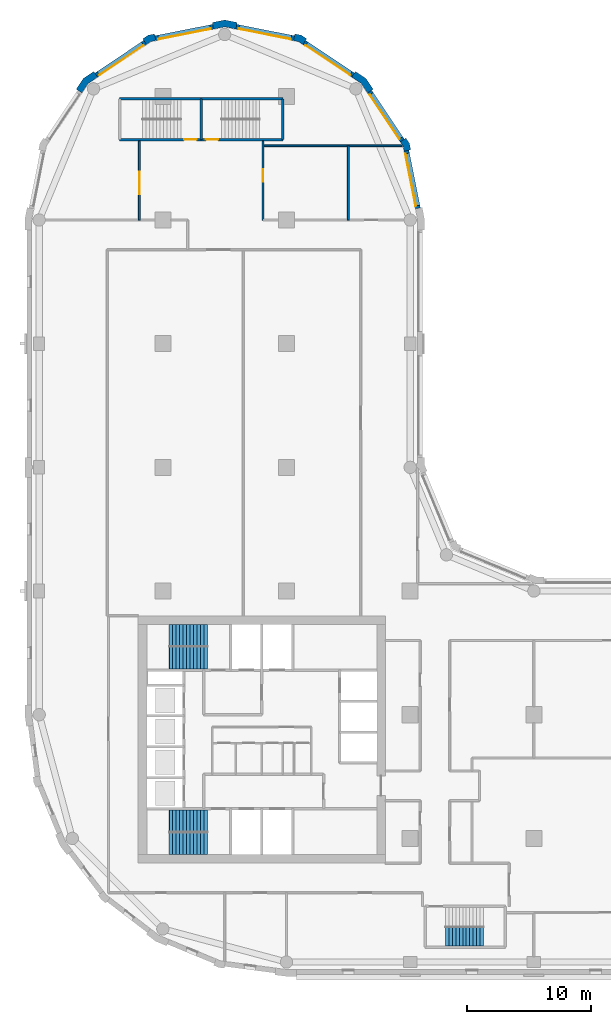
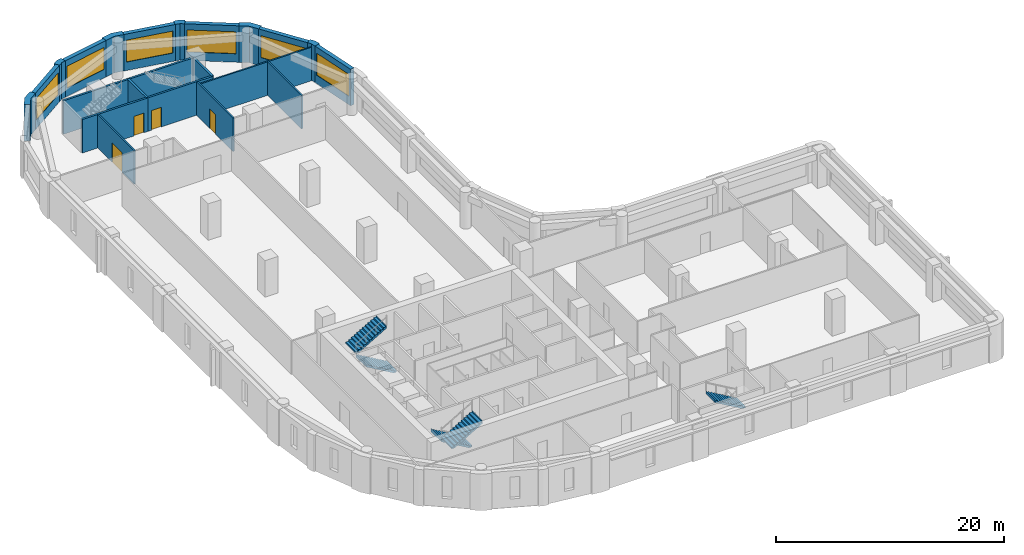
# One storey, part 6 of 9: 22 walls, 6 windows, 5 stair flights, 4 doors, 10 openings, 3 elements without a shape of their own.
"""IFC4 building model written with IfcOpenShell, lengths in metres."""

import ifcopenshell
import ifcopenshell.guid

model = None  # the IFC model being written
_history = None  # IfcOwnerHistory: only IFC2X3 demands one
_inside = {}  # id of a spatial element -> (the spatial element, [elements in it])
_under = {}  # id of a project, library or spatial element -> (it, [spatial elements below it])
_declared = {}  # id of a project -> (the project, [libraries it declares])
_typed = {}  # id of a type object -> (the type object, [elements of that type])
_made_of = {}  # id of a material, layer set ... -> (it, [elements and type objects made of it])


def new_model(schema):
    """Start an empty IFC model of exactly this schema.

    Asked for "IFC4X3", IfcOpenShell would pick the latest addendum, in which some entities
    have other attributes; the version numbers below select the first issue.
    IFC2X3 requires an IfcOwnerHistory on every rooted entity: one is made here for all.
    """
    global model, _history
    if schema == "IFC4X3":
        model = ifcopenshell.file(schema_version=(4, 3, 0, 0))
    else:
        model = ifcopenshell.file(schema=schema)
    _inside.clear()
    _under.clear()
    _declared.clear()
    _typed.clear()
    _made_of.clear()
    _history = None
    if model.schema == "IFC2X3":
        org = make("IfcOrganization", Name="unknown")
        user = make(
            "IfcPersonAndOrganization",
            ThePerson=make("IfcPerson", FamilyName="unknown"),
            TheOrganization=org,
        )
        app = make(
            "IfcApplication",
            ApplicationDeveloper=org,
            Version="unknown",
            ApplicationFullName="unknown",
            ApplicationIdentifier="unknown",
        )
        _history = make(
            "IfcOwnerHistory",
            OwningUser=user,
            OwningApplication=app,
            ChangeAction="ADDED",
            CreationDate=0,
        )
    return model


def make(cls, **values):
    """One entity of the class cls with the attributes given. An attribute that is None is left unset."""
    return model.create_entity(
        cls, **{name: value for name, value in values.items() if value is not None}
    )


def rooted(cls, **values):
    """An entity with a GlobalId (a new one), such as an element, a storey or a relation."""
    return make(cls, GlobalId=ifcopenshell.guid.new(), OwnerHistory=_history, **values)


def si_unit(unit_type, name, prefix=None):
    """IfcSIUnit, for example si_unit("LENGTHUNIT", "METRE", prefix="MILLI")."""
    return make("IfcSIUnit", UnitType=unit_type, Prefix=prefix, Name=name)


def assignment(units):
    """IfcUnitAssignment: the units of a project."""
    return None if units is None else make("IfcUnitAssignment", Units=units)


def point(xyz):
    """IfcCartesianPoint."""
    return None if xyz is None else make("IfcCartesianPoint", Coordinates=xyz)


def direction(xyz):
    """IfcDirection."""
    return None if xyz is None else make("IfcDirection", DirectionRatios=xyz)


def frame(location, z_axis=None, x_axis=None):
    """IfcAxis2Placement3D, a coordinate frame: its origin and axes. An axis left out is left unset."""
    return make(
        "IfcAxis2Placement3D",
        Location=point(location),
        Axis=direction(z_axis),
        RefDirection=direction(x_axis),
    )


def frame_2d(location, x_axis=None):
    """IfcAxis2Placement2D, a coordinate frame in the plane: its origin and x axis."""
    return make(
        "IfcAxis2Placement2D", Location=point(location), RefDirection=direction(x_axis)
    )


def origin():
    """The frame at (0, 0, 0) with its axes left unset."""
    return frame((0.0, 0.0, 0.0))


def place(relative_to, where):
    """IfcLocalPlacement: puts the frame where relative to a parent placement (None: the world)."""
    return make(
        "IfcLocalPlacement", PlacementRelTo=relative_to, RelativePlacement=where
    )


def context(
    kind, dimensions, precision=None, world=None, true_north=None, identifier=None
):
    """IfcGeometricRepresentationContext, for example the 3D "Model" context."""
    return make(
        "IfcGeometricRepresentationContext",
        ContextIdentifier=identifier,
        ContextType=kind,
        CoordinateSpaceDimension=dimensions,
        Precision=precision,
        WorldCoordinateSystem=world,
        TrueNorth=true_north,
    )


def subcontext(parent, identifier, kind, view, scale=None):
    """IfcGeometricRepresentationSubContext, for example "Body" below "Model"."""
    return make(
        "IfcGeometricRepresentationSubContext",
        ContextIdentifier=identifier,
        ContextType=kind,
        ParentContext=parent,
        TargetScale=scale,
        TargetView=view,
    )


def project(units=None, contexts=None):
    """IfcProject with its units and contexts."""
    return rooted(
        "IfcProject",
        Name="project",
        RepresentationContexts=contexts,
        UnitsInContext=assignment(units),
    )


def spatial(cls, under=None, at=None, **own):
    """A site, building, storey or space (cls), placed at a placement, below another one or the project."""
    s = rooted(cls, ObjectPlacement=at, **own)
    if under is not None:
        _under.setdefault(under.id(), (under, []))[1].append(s)
    return s


def polyline(points):
    """IfcPolyline through the points."""
    return make("IfcPolyline", Points=[point(p) for p in points])


def profile(cls, at=None, kind="AREA", **sizes):
    """A parametric profile (cls). Its sizes go by their IFC names, for example OverallWidth=200.0."""
    return make(cls, ProfileType=kind, Position=at, **sizes)


def rectangle(**sizes):
    """IfcRectangleProfileDef."""
    return profile("IfcRectangleProfileDef", **sizes)


def outline(outer, holes=None, kind="AREA"):
    """IfcArbitraryClosedProfileDef: a profile drawn as a closed curve; with holes, ...WithVoids."""
    if holes is None:
        return make("IfcArbitraryClosedProfileDef", ProfileType=kind, OuterCurve=outer)
    return make(
        "IfcArbitraryProfileDefWithVoids",
        ProfileType=kind,
        OuterCurve=outer,
        InnerCurves=holes,
    )


def extrude(swept, where, along, depth):
    """IfcExtrudedAreaSolid: the profile swept, set in the frame where, extruded along a direction by depth."""
    return make(
        "IfcExtrudedAreaSolid",
        SweptArea=swept,
        Position=where,
        ExtrudedDirection=direction(along),
        Depth=depth,
    )


def shape(context_of_items, identifier, shape_type, items):
    """IfcShapeRepresentation: the items that make up one representation, for example the "Body"."""
    return make(
        "IfcShapeRepresentation",
        ContextOfItems=context_of_items,
        RepresentationIdentifier=identifier,
        RepresentationType=shape_type,
        Items=items,
    )


def material(Name=None, Category=None):
    """IfcMaterial."""
    return make("IfcMaterial", Name=Name, Category=Category)


def layer(
    of_material, thickness, ventilated=None, Name=None, Category=None, Priority=None
):
    """IfcMaterialLayer: one layer of a wall or slab, of a material (None: an air gap)."""
    return make(
        "IfcMaterialLayer",
        Material=of_material,
        LayerThickness=thickness,
        IsVentilated=ventilated,
        Name=Name,
        Category=Category,
        Priority=Priority,
    )


def layer_set(layers, Name=None):
    """IfcMaterialLayerSet."""
    return make("IfcMaterialLayerSet", MaterialLayers=layers, LayerSetName=Name)


def made_of(thing, what):
    """Note that an element or type object is made of a material, layer set ...; save() writes the relation."""
    if what is not None:
        _made_of.setdefault(what.id(), (what, []))[1].append(thing)
    return thing


def type_object(cls, material=None, **own):
    """A type object (cls), such as IfcWallType, which elements share."""
    return made_of(rooted(cls, **own), material)


def element(
    cls,
    number,
    at=None,
    inside=None,
    cuts=None,
    type_object=None,
    material=None,
    context=None,
    identifier="Body",
    shape_type=None,
    held_by="IfcProductDefinitionShape",
    body=None,
    shapes=None,
    **own,
):
    """One element of the class cls, such as IfcWall. Its Tag is "e" and its number.

    at: its placement. inside: the storey or other place that contains it. cuts: it is an
    opening in that element (IfcRelVoidsElement). A single representation is given by context,
    identifier, shape_type and body (its items); several are given by shapes. held_by: the class
    of the entity that holds the representations. save() writes the other relations.
    """
    e = rooted(cls, Tag="e%d" % number, ObjectPlacement=at, **own)
    if body is not None:
        shapes = [shape(context, identifier, shape_type, body)]
    if shapes is not None:
        e.Representation = make(held_by, Representations=shapes)
    if inside is not None:
        _inside.setdefault(inside.id(), (inside, []))[1].append(e)
    if cuts is not None:
        rooted(
            "IfcRelVoidsElement", RelatingBuildingElement=cuts, RelatedOpeningElement=e
        )
    if type_object is not None:
        _typed.setdefault(type_object.id(), (type_object, []))[1].append(e)
    return made_of(e, material)


def fill(opening, filler):
    """IfcRelFillsElement: the door or window that sits in an opening."""
    return rooted(
        "IfcRelFillsElement",
        RelatingOpeningElement=opening,
        RelatedBuildingElement=filler,
    )


def aggregate(whole, parts):
    """IfcRelAggregates: a whole, such as a stair, and the parts it consists of."""
    return rooted("IfcRelAggregates", RelatingObject=whole, RelatedObjects=parts)


def save(model, path):
    """Write the relations noted so far, then the file.

    IfcRelAggregates (storeys below a building ...), IfcRelContainedInSpatialStructure (elements
    in a storey), IfcRelDefinesByType, IfcRelAssociatesMaterial and IfcRelDeclares: one each for
    every whole, place, type object, material and project.
    """
    for whole, parts in _under.values():
        aggregate(whole, parts)
    for where, things in _inside.values():
        rooted(
            "IfcRelContainedInSpatialStructure",
            RelatedElements=things,
            RelatingStructure=where,
        )
    for kind, things in _typed.values():
        rooted("IfcRelDefinesByType", RelatedObjects=things, RelatingType=kind)
    for what, things in _made_of.values():
        rooted("IfcRelAssociatesMaterial", RelatedObjects=things, RelatingMaterial=what)
    for by, libraries in _declared.values():
        rooted("IfcRelDeclares", RelatingContext=by, RelatedDefinitions=libraries)
    model.write(path)


model = new_model("IFC4")

# Units and contexts
model_context = context("Model", 3, precision=1e-05, world=origin(), true_north=direction((0.0, 1.0)))
body_context = subcontext(model_context, "Body", "Model", "MODEL_VIEW")
ifc_project = project(units=[si_unit("LENGTHUNIT", "METRE"), si_unit("AREAUNIT", "SQUARE_METRE"), si_unit("VOLUMEUNIT", "CUBIC_METRE"), si_unit("PLANEANGLEUNIT", "RADIAN"), si_unit("MASSUNIT", "GRAM", prefix="KILO")], contexts=[model_context])

# Site, building, storey
site_placement = place(None, origin())
site = spatial("IfcSite", under=ifc_project, at=site_placement, CompositionType="ELEMENT")
building_placement = place(site_placement, origin())
building = spatial("IfcBuilding", under=site, at=building_placement, Name="Qaws Garden Tower", CompositionType="ELEMENT")
storey_placement = place(building_placement, frame((0.0, 0.0, 151.199951171875)))
storey = spatial("IfcBuildingStorey", under=building, at=storey_placement, Name="L36", CompositionType="ELEMENT", Elevation=151.199951171875)

# Wall, opening, window
ifc_material_1 = material(Name="Clay facing brick masonry", Category="masonry")
ifc_layer_1 = layer(ifc_material_1, 0.39990234375)
ifc_layer_set_1 = layer_set([ifc_layer_1], Name="Clay facing brick masonry")
wall_type_1 = type_object("IfcWallType", Name="Brick infill wall 400", PredefinedType="SOLIDWALL", material=ifc_layer_set_1)
wall_1_placement = place(storey_placement, frame((30.628662109375, 60.940673828125, 0.0), z_axis=(0.0, 0.0, 1.0), x_axis=(-0.195098533057, 0.98078364709, 0.0)))
wall_1 = element("IfcWall", 1, at=wall_1_placement, inside=storey, type_object=wall_type_1, Name="E-L36-infill-13", PredefinedType="SOLIDWALL", context=body_context, shape_type="SweptSolid", body=[
    extrude(rectangle(XDim=4.752685546875, YDim=0.39990234375, at=frame_2d((2.37646484375, 0.0))), origin(), (0.0, 0.0, 1.0), 3.900146484375),
])
opening_1_placement = place(wall_1_placement, frame((0.226318359375, 0.0, 0.89990234375)))
opening_1 = element("IfcOpeningElement", 2, at=opening_1_placement, cuts=wall_1, Name="Opening W06", PredefinedType="OPENING", context=body_context, shape_type="SweptSolid", body=[
    extrude(rectangle(XDim=4.300048828125, YDim=2.35009765625, at=frame_2d((2.14990234375, 1.175048828125))), frame((0.0, 0.2099609375, 0.0), z_axis=(0.0, -1.0, 0.0), x_axis=(1.0, 0.0, 0.0)), (0.0, 0.0, 1.0), 0.419921875),
])
ifc_material_2 = material(Name="Aluminium framed window, clear glazing", Category="aluminium")
window_type = type_object("IfcWindowType", Name="Ribbon window 4300 x 2350", PartitioningType="DOUBLE_PANEL_VERTICAL", PredefinedType="WINDOW", material=ifc_material_2)
window_1_placement = place(opening_1_placement, origin())
window_1 = element("IfcWindow", 3, at=window_1_placement, inside=storey, type_object=window_type, Name="E-L36-window-13-0", OverallHeight=2.35009765625, OverallWidth=4.300048828125, PartitioningType="SINGLE_PANEL", PredefinedType="WINDOW", context=body_context, shape_type="SweptSolid", body=[
    extrude(rectangle(XDim=4.300048828125, YDim=2.35009765625, at=frame_2d((2.14990234375, 1.175048828125))), frame((0.0, 0.159912109375, 0.0), z_axis=(0.0, -1.0, 0.0), x_axis=(1.0, 0.0, 0.0)), (0.0, 0.0, 1.0), 0.06005859375),
])
fill(opening_1, window_1)

wall_2_placement = place(storey_placement, frame((29.356689453125, 66.43408203125, 0.0), z_axis=(0.0, 0.0, 1.0), x_axis=(-0.555541552266, 0.831488775454, 0.0)))
wall_2 = element("IfcWall", 4, at=wall_2_placement, inside=storey, type_object=wall_type_1, Name="E-L36-infill-14", PredefinedType="SOLIDWALL", context=body_context, shape_type="SweptSolid", body=[
    extrude(rectangle(XDim=4.752685546875, YDim=0.39990234375, at=frame_2d((2.37646484375, 0.0))), origin(), (0.0, 0.0, 1.0), 3.900146484375),
])
opening_2_placement = place(wall_2_placement, frame((0.226318359375, 0.0, 0.89990234375)))
opening_2 = element("IfcOpeningElement", 5, at=opening_2_placement, cuts=wall_2, Name="Opening W06", PredefinedType="OPENING", context=body_context, shape_type="SweptSolid", body=[
    extrude(rectangle(XDim=4.300048828125, YDim=2.35009765625, at=frame_2d((2.14990234375, 1.175048828125))), frame((0.0, 0.2099609375, 0.0), z_axis=(0.0, -1.0, 0.0), x_axis=(1.0, 0.0, 0.0)), (0.0, 0.0, 1.0), 0.419921875),
])
window_2_placement = place(opening_2_placement, origin())
window_2 = element("IfcWindow", 6, at=window_2_placement, inside=storey, type_object=window_type, Name="E-L36-window-14-0", OverallHeight=2.35009765625, OverallWidth=4.300048828125, PartitioningType="SINGLE_PANEL", PredefinedType="WINDOW", context=body_context, shape_type="SweptSolid", body=[
    extrude(rectangle(XDim=4.300048828125, YDim=2.35009765625, at=frame_2d((2.14990234375, 1.175048828125))), frame((0.0, 0.159912109375, 0.0), z_axis=(0.0, -1.0, 0.0), x_axis=(1.0, 0.0, 0.0)), (0.0, 0.0, 1.0), 0.06005859375),
])
fill(opening_2, window_2)

wall_3_placement = place(storey_placement, frame((25.385986328125, 71.71630859375, 0.0), z_axis=(0.0, 0.0, 1.0), x_axis=(-0.831488775454, 0.555541552266, 0.0)))
wall_3 = element("IfcWall", 7, at=wall_3_placement, inside=storey, type_object=wall_type_1, Name="E-L36-infill-15", PredefinedType="SOLIDWALL", context=body_context, shape_type="SweptSolid", body=[
    extrude(rectangle(XDim=4.752685546875, YDim=0.39990234375, at=frame_2d((2.37646484375, 0.0))), origin(), (0.0, 0.0, 1.0), 3.900146484375),
])
opening_3_placement = place(wall_3_placement, frame((0.226318359375, 0.0, 0.89990234375)))
opening_3 = element("IfcOpeningElement", 8, at=opening_3_placement, cuts=wall_3, Name="Opening W06", PredefinedType="OPENING", context=body_context, shape_type="SweptSolid", body=[
    extrude(rectangle(XDim=4.300048828125, YDim=2.35009765625, at=frame_2d((2.14990234375, 1.175048828125))), frame((0.0, 0.2099609375, 0.0), z_axis=(0.0, -1.0, 0.0), x_axis=(1.0, 0.0, 0.0)), (0.0, 0.0, 1.0), 0.419921875),
])
window_3_placement = place(opening_3_placement, origin())
window_3 = element("IfcWindow", 9, at=window_3_placement, inside=storey, type_object=window_type, Name="E-L36-window-15-0", OverallHeight=2.35009765625, OverallWidth=4.300048828125, PartitioningType="SINGLE_PANEL", PredefinedType="WINDOW", context=body_context, shape_type="SweptSolid", body=[
    extrude(rectangle(XDim=4.300048828125, YDim=2.35009765625, at=frame_2d((2.14990234375, 1.175048828125))), frame((0.0, 0.159912109375, 0.0), z_axis=(0.0, -1.0, 0.0), x_axis=(1.0, 0.0, 0.0)), (0.0, 0.0, 1.0), 0.06005859375),
])
fill(opening_3, window_3)

wall_4_placement = place(storey_placement, frame((20.60205078125, 74.701416015625, 0.0), z_axis=(0.0, 0.0, 1.0), x_axis=(-0.98078364709, 0.195098533057, 0.0)))
wall_4 = element("IfcWall", 10, at=wall_4_placement, inside=storey, type_object=wall_type_1, Name="E-L36-infill-16", PredefinedType="SOLIDWALL", context=body_context, shape_type="SweptSolid", body=[
    extrude(rectangle(XDim=4.752685546875, YDim=0.39990234375, at=frame_2d((2.37646484375, 0.0))), origin(), (0.0, 0.0, 1.0), 3.900146484375),
])
opening_4_placement = place(wall_4_placement, frame((0.226318359375, 0.0, 0.89990234375)))
opening_4 = element("IfcOpeningElement", 11, at=opening_4_placement, cuts=wall_4, Name="Opening W06", PredefinedType="OPENING", context=body_context, shape_type="SweptSolid", body=[
    extrude(rectangle(XDim=4.300048828125, YDim=2.35009765625, at=frame_2d((2.14990234375, 1.175048828125))), frame((0.0, 0.2099609375, 0.0), z_axis=(0.0, -1.0, 0.0), x_axis=(1.0, 0.0, 0.0)), (0.0, 0.0, 1.0), 0.419921875),
])
window_4_placement = place(opening_4_placement, origin())
window_4 = element("IfcWindow", 12, at=window_4_placement, inside=storey, type_object=window_type, Name="E-L36-window-16-0", OverallHeight=2.35009765625, OverallWidth=4.300048828125, PartitioningType="SINGLE_PANEL", PredefinedType="WINDOW", context=body_context, shape_type="SweptSolid", body=[
    extrude(rectangle(XDim=4.300048828125, YDim=2.35009765625, at=frame_2d((2.14990234375, 1.175048828125))), frame((0.0, 0.159912109375, 0.0), z_axis=(0.0, -1.0, 0.0), x_axis=(1.0, 0.0, 0.0)), (0.0, 0.0, 1.0), 0.06005859375),
])
fill(opening_4, window_4)

wall_5_placement = place(storey_placement, frame((14.059326171875, 75.628662109375, 0.0), z_axis=(0.0, 0.0, 1.0), x_axis=(-0.98078364709, -0.195098533057, 0.0)))
wall_5 = element("IfcWall", 13, at=wall_5_placement, inside=storey, type_object=wall_type_1, Name="E-L36-infill-17", PredefinedType="SOLIDWALL", context=body_context, shape_type="SweptSolid", body=[
    extrude(rectangle(XDim=4.752685546875, YDim=0.39990234375, at=frame_2d((2.37646484375, 0.0))), origin(), (0.0, 0.0, 1.0), 3.900146484375),
])
opening_5_placement = place(wall_5_placement, frame((0.226318359375, 0.0, 0.89990234375)))
opening_5 = element("IfcOpeningElement", 14, at=opening_5_placement, cuts=wall_5, Name="Opening W06", PredefinedType="OPENING", context=body_context, shape_type="SweptSolid", body=[
    extrude(rectangle(XDim=4.300048828125, YDim=2.35009765625, at=frame_2d((2.14990234375, 1.175048828125))), frame((0.0, 0.2099609375, 0.0), z_axis=(0.0, -1.0, 0.0), x_axis=(1.0, 0.0, 0.0)), (0.0, 0.0, 1.0), 0.419921875),
])
window_5_placement = place(opening_5_placement, origin())
window_5 = element("IfcWindow", 15, at=window_5_placement, inside=storey, type_object=window_type, Name="E-L36-window-17-0", OverallHeight=2.35009765625, OverallWidth=4.300048828125, PartitioningType="SINGLE_PANEL", PredefinedType="WINDOW", context=body_context, shape_type="SweptSolid", body=[
    extrude(rectangle(XDim=4.300048828125, YDim=2.35009765625, at=frame_2d((2.14990234375, 1.175048828125))), frame((0.0, 0.159912109375, 0.0), z_axis=(0.0, -1.0, 0.0), x_axis=(1.0, 0.0, 0.0)), (0.0, 0.0, 1.0), 0.06005859375),
])
fill(opening_5, window_5)

wall_6_placement = place(storey_placement, frame((8.56591796875, 74.356689453125, 0.0), z_axis=(0.0, 0.0, 1.0), x_axis=(-0.831488775454, -0.555541552266, 0.0)))
wall_6 = element("IfcWall", 16, at=wall_6_placement, inside=storey, type_object=wall_type_1, Name="E-L36-infill-18", PredefinedType="SOLIDWALL", context=body_context, shape_type="SweptSolid", body=[
    extrude(rectangle(XDim=4.752685546875, YDim=0.39990234375, at=frame_2d((2.37646484375, 0.0))), origin(), (0.0, 0.0, 1.0), 3.900146484375),
])
opening_6_placement = place(wall_6_placement, frame((0.226318359375, 0.0, 0.89990234375)))
opening_6 = element("IfcOpeningElement", 17, at=opening_6_placement, cuts=wall_6, Name="Opening W06", PredefinedType="OPENING", context=body_context, shape_type="SweptSolid", body=[
    extrude(rectangle(XDim=4.300048828125, YDim=2.35009765625, at=frame_2d((2.14990234375, 1.175048828125))), frame((0.0, 0.2099609375, 0.0), z_axis=(0.0, -1.0, 0.0), x_axis=(1.0, 0.0, 0.0)), (0.0, 0.0, 1.0), 0.419921875),
])
window_6_placement = place(opening_6_placement, origin())
window_6 = element("IfcWindow", 18, at=window_6_placement, inside=storey, type_object=window_type, Name="E-L36-window-18-0", OverallHeight=2.35009765625, OverallWidth=4.300048828125, PartitioningType="SINGLE_PANEL", PredefinedType="WINDOW", context=body_context, shape_type="SweptSolid", body=[
    extrude(rectangle(XDim=4.300048828125, YDim=2.35009765625, at=frame_2d((2.14990234375, 1.175048828125))), frame((0.0, 0.159912109375, 0.0), z_axis=(0.0, -1.0, 0.0), x_axis=(1.0, 0.0, 0.0)), (0.0, 0.0, 1.0), 0.06005859375),
])
fill(opening_6, window_6)

# Walls
ifc_material_3 = material(Name="Clay facing brick masonry", Category="masonry")
ifc_layer_2 = layer(ifc_material_3, 0.550048828125)
ifc_layer_set_2 = layer_set([ifc_layer_2], Name="Clay facing brick masonry")
wall_type_2 = type_object("IfcWallType", Name="Brick kink pier 550 x 600", PredefinedType="SOLIDWALL", material=ifc_layer_set_2)
placement = place(storey_placement, origin())
element("IfcWall", 19, at=placement, inside=storey, type_object=wall_type_2, Name="E-L36-pier-14", PredefinedType="SOLIDWALL", context=body_context, shape_type="SweptSolid", body=[
    extrude(outline(polyline([(29.8974609375, 65.64111328125), (30.044677734375, 65.67041015625), (29.94140625, 66.18896484375), (29.647705078125, 66.628662109375), (29.52294921875, 66.545166015625), (29.1904296875, 66.322998046875), (29.42333984375, 65.974365234375), (29.505126953125, 65.56298828125), (29.8974609375, 65.64111328125)])), origin(), (0.0, 0.0, 1.0), 3.900146484375),
])
element("IfcWall", 20, at=placement, inside=storey, type_object=wall_type_2, Name="E-L36-pier-16", PredefinedType="SOLIDWALL", context=body_context, shape_type="SweptSolid", body=[
    extrude(outline(polyline([(21.545166015625, 74.52294921875), (21.628662109375, 74.647705078125), (21.18896484375, 74.94140625), (20.67041015625, 75.044677734375), (20.64111328125, 74.8974609375), (20.56298828125, 74.505126953125), (20.974365234375, 74.42333984375), (21.322998046875, 74.1904296875), (21.545166015625, 74.52294921875)])), origin(), (0.0, 0.0, 1.0), 3.900146484375),
])
element("IfcWall", 21, at=placement, inside=storey, type_object=wall_type_2, Name="E-L36-pier-18", PredefinedType="SOLIDWALL", context=body_context, shape_type="SweptSolid", body=[
    extrude(outline(polyline([(9.35888671875, 74.8974609375), (9.32958984375, 75.044677734375), (8.81103515625, 74.94140625), (8.371337890625, 74.647705078125), (8.454833984375, 74.52294921875), (8.677001953125, 74.1904296875), (9.025634765625, 74.42333984375), (9.43701171875, 74.505126953125), (9.35888671875, 74.8974609375)])), origin(), (0.0, 0.0, 1.0), 3.900146484375),
])
ifc_material_4 = material(Name="Clay facing brick masonry", Category="masonry")
ifc_layer_3 = layer(ifc_material_4, 0.550048828125)
ifc_layer_set_3 = layer_set([ifc_layer_3], Name="Clay facing brick masonry")
wall_type_3 = type_object("IfcWallType", Name="Brick pier 550 x 1600", PredefinedType="SOLIDWALL", material=ifc_layer_set_3)
element("IfcWall", 22, at=placement, inside=storey, type_object=wall_type_3, Name="E-L36-pier-15", PredefinedType="SOLIDWALL", context=body_context, shape_type="SweptSolid", body=[
    extrude(outline(polyline([(26.882568359375, 70.4970703125), (27.00732421875, 70.580322265625), (26.435791015625, 71.435791015625), (25.580322265625, 72.00732421875), (25.4970703125, 71.882568359375), (25.274658203125, 71.550048828125), (26.0390625, 71.0390625), (26.550048828125, 70.274658203125), (26.882568359375, 70.4970703125)])), origin(), (0.0, 0.0, 1.0), 3.900146484375),
])
element("IfcWall", 23, at=placement, inside=storey, type_object=wall_type_3, Name="E-L36-pier-17", PredefinedType="SOLIDWALL", context=body_context, shape_type="SweptSolid", body=[
    extrude(outline(polyline([(15.979736328125, 75.82470703125), (16.009033203125, 75.971923828125), (15.0, 76.172607421875), (13.990966796875, 75.971923828125), (14.020263671875, 75.82470703125), (14.098388671875, 75.432373046875), (15.0, 75.61181640625), (15.901611328125, 75.432373046875), (15.979736328125, 75.82470703125)])), origin(), (0.0, 0.0, 1.0), 3.900146484375),
])
element("IfcWall", 24, at=placement, inside=storey, type_object=wall_type_3, Name="E-L36-pier-19", PredefinedType="SOLIDWALL", context=body_context, shape_type="SweptSolid", body=[
    extrude(outline(polyline([(4.5029296875, 71.882568359375), (4.419677734375, 72.00732421875), (3.564208984375, 71.435791015625), (2.99267578125, 70.580322265625), (3.117431640625, 70.4970703125), (3.449951171875, 70.274658203125), (3.9609375, 71.0390625), (4.725341796875, 71.550048828125), (4.5029296875, 71.882568359375)])), origin(), (0.0, 0.0, 1.0), 3.900146484375),
])

# Wall, opening, door
ifc_material_5 = material(Name="Concrete C70", Category="concrete")
ifc_layer_4 = layer(ifc_material_5, 0.199951171875)
ifc_layer_set_4 = layer_set([ifc_layer_4], Name="Concrete C70")
wall_type_4 = type_object("IfcWallType", Name="Core shaft wall 200 C70", PredefinedType="SHEAR", material=ifc_layer_set_4)
wall_13_placement = place(storey_placement, frame((6.5, 66.5, 0.0), z_axis=(0.0, 0.0, 1.0), x_axis=(1.0, 0.0, 0.0)))
wall_13 = element("IfcWall", 25, at=wall_13_placement, inside=storey, type_object=wall_type_4, Name="Shaft wall", PredefinedType="SHEAR", context=body_context, shape_type="SweptSolid", body=[
    extrude(rectangle(XDim=6.60009765625, YDim=0.199951171875, at=frame_2d((3.300048828125, 0.0))), origin(), (0.0, 0.0, 1.0), 3.580078125),
])
opening_7_placement = place(wall_13_placement, frame((5.22509765625, 0.0, 0.0)))
opening_7 = element("IfcOpeningElement", 26, at=opening_7_placement, cuts=wall_13, Name="Opening SD13", PredefinedType="OPENING", context=body_context, shape_type="SweptSolid", body=[
    extrude(rectangle(XDim=1.0, YDim=2.10009765625, at=frame_2d((0.5, 1.050048828125))), frame((0.0, 0.10986328125, 0.0), z_axis=(0.0, -1.0, 0.0), x_axis=(1.0, 0.0, 0.0)), (0.0, 0.0, 1.0), 0.219970703125),
])
ifc_material_6 = material(Name="Steel S235", Category="steel")
door_type_1 = type_object("IfcDoorType", Name="Stair door 1000x2100", OperationType="SINGLE_SWING_RIGHT", PredefinedType="DOOR", material=ifc_material_6)
door_1_placement = place(opening_7_placement, origin())
door_1 = element("IfcDoor", 27, at=door_1_placement, inside=storey, type_object=door_type_1, Name="Stair 6 door", OperationType="SINGLE_SWING_RIGHT", OverallHeight=2.10009765625, OverallWidth=1.0, PredefinedType="DOOR", context=body_context, shape_type="SweptSolid", body=[
    extrude(rectangle(XDim=1.0, YDim=2.10009765625, at=frame_2d((0.5, 1.050048828125))), frame((0.0, 0.02490234375, 0.0), z_axis=(0.0, -1.0, 0.0), x_axis=(1.0, 0.0, 0.0)), (0.0, 0.0, 1.0), 0.050048828125),
])
fill(opening_7, door_1)

wall_14_placement = place(storey_placement, frame((13.10009765625, 66.5, 0.0), z_axis=(0.0, 0.0, 1.0), x_axis=(1.0, 0.0, 0.0)))
wall_14 = element("IfcWall", 28, at=wall_14_placement, inside=storey, type_object=wall_type_4, Name="Shaft wall", PredefinedType="SHEAR", context=body_context, shape_type="SweptSolid", body=[
    extrude(rectangle(XDim=6.599853515625, YDim=0.199951171875, at=frame_2d((3.2998046875, 0.0))), origin(), (0.0, 0.0, 1.0), 3.580078125),
])
opening_8_placement = place(wall_14_placement, frame((0.375, 0.0, 0.0)))
opening_8 = element("IfcOpeningElement", 29, at=opening_8_placement, cuts=wall_14, Name="Opening SD14", PredefinedType="OPENING", context=body_context, shape_type="SweptSolid", body=[
    extrude(rectangle(XDim=1.0, YDim=2.10009765625, at=frame_2d((0.5, 1.050048828125))), frame((0.0, 0.10986328125, 0.0), z_axis=(0.0, -1.0, 0.0), x_axis=(1.0, 0.0, 0.0)), (0.0, 0.0, 1.0), 0.219970703125),
])
door_2_placement = place(opening_8_placement, origin())
door_2 = element("IfcDoor", 30, at=door_2_placement, inside=storey, type_object=door_type_1, Name="Stair 7 door", OperationType="SINGLE_SWING_LEFT", OverallHeight=2.10009765625, OverallWidth=1.0, PredefinedType="DOOR", context=body_context, shape_type="SweptSolid", body=[
    extrude(rectangle(XDim=1.0, YDim=2.10009765625, at=frame_2d((0.5, 1.050048828125))), frame((0.0, 0.02490234375, 0.0), z_axis=(0.0, -1.0, 0.0), x_axis=(1.0, 0.0, 0.0)), (0.0, 0.0, 1.0), 0.050048828125),
])
fill(opening_8, door_2)

# Walls
wall_15_placement = place(storey_placement, frame((6.5, 69.800048828125, 0.0), z_axis=(0.0, 0.0, 1.0), x_axis=(1.0, 0.0, 0.0)))
element("IfcWall", 31, at=wall_15_placement, inside=storey, type_object=wall_type_4, Name="Shaft wall", PredefinedType="SHEAR", context=body_context, shape_type="SweptSolid", body=[
    extrude(rectangle(XDim=6.60009765625, YDim=0.199951171875, at=frame_2d((3.300048828125, 0.0))), origin(), (0.0, 0.0, 1.0), 3.580078125),
])
wall_16_placement = place(storey_placement, frame((13.10009765625, 69.800048828125, 0.0), z_axis=(0.0, 0.0, 1.0), x_axis=(1.0, 0.0, 0.0)))
element("IfcWall", 32, at=wall_16_placement, inside=storey, type_object=wall_type_4, Name="Shaft wall", PredefinedType="SHEAR", context=body_context, shape_type="SweptSolid", body=[
    extrude(rectangle(XDim=6.599853515625, YDim=0.199951171875, at=frame_2d((3.2998046875, 0.0))), origin(), (0.0, 0.0, 1.0), 3.580078125),
])
for number, where, z_axis, x_axis, name in (
    (33, (13.10009765625, 66.5, 0.0), (0.0, 0.0, 1.0), (0.0, 1.0, 0.0), "Shaft wall"),
    (34, (19.699951171875, 66.5, 0.0), (0.0, 0.0, 1.0), (0.0, 1.0, 0.0), "Shaft wall"),
):
    element("IfcWall", number, at=place(storey_placement, frame(where, z_axis=z_axis, x_axis=x_axis)), inside=storey, type_object=wall_type_4, Name=name, PredefinedType="SHEAR", context=body_context, shape_type="SweptSolid", body=[
        extrude(rectangle(XDim=3.300048828125, YDim=0.199951171875, at=frame_2d((1.64990234375, 0.0))), origin(), (0.0, 0.0, 1.0), 3.580078125),
    ])

# Wall, opening, door
ifc_material_7 = material(Name="Gypsum board partition")
ifc_layer_5 = layer(ifc_material_7, 0.14990234375)
ifc_layer_set_5 = layer_set([ifc_layer_5], Name="Gypsum board partition")
wall_type_5 = type_object("IfcWallType", Name="PARTITION 150 EI 60", PredefinedType="PARTITIONING", material=ifc_layer_set_5)
wall_17_placement = place(storey_placement, frame((8.10009765625, 60.0, 0.0), z_axis=(0.0, 0.0, 1.0), x_axis=(0.0, 1.0, 0.0)))
wall_17 = element("IfcWall", 35, at=wall_17_placement, inside=storey, type_object=wall_type_5, Name="O-L36-wall-006", PredefinedType="PARTITIONING", context=body_context, shape_type="SweptSolid", body=[
    extrude(rectangle(XDim=6.39990234375, YDim=0.14990234375, at=frame_2d((3.199951171875, 0.0))), origin(), (0.0, 0.0, 1.0), 3.580078125),
])
opening_9_placement = place(wall_17_placement, frame((2.10009765625, 0.0, 0.0)))
opening_9 = element("IfcOpeningElement", 36, at=opening_9_placement, cuts=wall_17, Name="Opening B207", PredefinedType="OPENING", context=body_context, shape_type="SweptSolid", body=[
    extrude(rectangle(XDim=1.800048828125, YDim=2.10009765625, at=frame_2d((0.89990234375, 1.050048828125))), frame((0.0, 0.0849609375, 0.0), z_axis=(0.0, -1.0, 0.0), x_axis=(1.0, 0.0, 0.0)), (0.0, 0.0, 1.0), 0.169921875),
])
ifc_material_8 = material(Name="Timber door leaf", Category="wood")
door_type_2 = type_object("IfcDoorType", Name="DOUBLE DOOR 1800 X 2100", OperationType="DOUBLE_DOOR_SINGLE_SWING", PredefinedType="DOOR", material=ifc_material_8)
door_3_placement = place(opening_9_placement, origin())
door_3 = element("IfcDoor", 37, at=door_3_placement, inside=storey, type_object=door_type_2, Name="O-L36-door-007", OperationType="DOUBLE_DOOR_SINGLE_SWING", OverallHeight=2.10009765625, OverallWidth=1.800048828125, PredefinedType="DOOR", context=body_context, shape_type="SweptSolid", body=[
    extrude(rectangle(XDim=1.800048828125, YDim=2.10009765625, at=frame_2d((0.89990234375, 1.050048828125))), frame((0.0, 0.02490234375, 0.0), z_axis=(0.0, -1.0, 0.0), x_axis=(1.0, 0.0, 0.0)), (0.0, 0.0, 1.0), 0.050048828125),
])
fill(opening_9, door_3)

wall_18_placement = place(storey_placement, frame((18.10009765625, 60.0, 0.0), z_axis=(0.0, 0.0, 1.0), x_axis=(0.0, 1.0, 0.0)))
wall_18 = element("IfcWall", 38, at=wall_18_placement, inside=storey, type_object=wall_type_5, Name="O-L36-wall-010", PredefinedType="PARTITIONING", context=body_context, shape_type="SweptSolid", body=[
    extrude(rectangle(XDim=6.39990234375, YDim=0.14990234375, at=frame_2d((3.199951171875, 0.0))), origin(), (0.0, 0.0, 1.0), 3.580078125),
])
opening_10_placement = place(wall_18_placement, frame((3.10009765625, 0.0, 0.0)))
opening_10 = element("IfcOpeningElement", 39, at=opening_10_placement, cuts=wall_18, Name="Opening B208", PredefinedType="OPENING", context=body_context, shape_type="SweptSolid", body=[
    extrude(rectangle(XDim=1.0, YDim=2.10009765625, at=frame_2d((0.5, 1.050048828125))), frame((0.0, 0.0849609375, 0.0), z_axis=(0.0, -1.0, 0.0), x_axis=(1.0, 0.0, 0.0)), (0.0, 0.0, 1.0), 0.169921875),
])
ifc_material_9 = material(Name="Timber door leaf", Category="wood")
door_type_3 = type_object("IfcDoorType", Name="TENANCY ENTRANCE DOOR 1000 X 2100", OperationType="SINGLE_SWING_LEFT", PredefinedType="DOOR", material=ifc_material_9)
door_4_placement = place(opening_10_placement, frame((1.0, 0.0, 0.0), z_axis=(0.0, 0.0, 1.0), x_axis=(-1.0, 0.0, 0.0)))
door_4 = element("IfcDoor", 40, at=door_4_placement, inside=storey, type_object=door_type_3, Name="O-L36-door-008", OperationType="SINGLE_SWING_RIGHT", OverallHeight=2.10009765625, OverallWidth=1.0, PredefinedType="DOOR", context=body_context, shape_type="SweptSolid", body=[
    extrude(rectangle(XDim=1.0, YDim=2.10009765625, at=frame_2d((0.5, 1.050048828125))), frame((0.0, 0.02490234375, 0.0), z_axis=(0.0, -1.0, 0.0), x_axis=(1.0, 0.0, 0.0)), (0.0, 0.0, 1.0), 0.050048828125),
])
fill(opening_10, door_4)

# Walls
wall_19_placement = place(storey_placement, frame((25.0, 60.0, 0.0), z_axis=(0.0, 0.0, 1.0), x_axis=(0.0, 1.0, 0.0)))
element("IfcWall", 41, at=wall_19_placement, inside=storey, type_object=wall_type_5, Name="O-L36-wall-012", PredefinedType="PARTITIONING", context=body_context, shape_type="SweptSolid", body=[
    extrude(rectangle(XDim=6.0, YDim=0.14990234375, at=frame_2d((3.0, 0.0))), origin(), (0.0, 0.0, 1.0), 3.580078125),
])
wall_20_placement = place(storey_placement, frame((18.10009765625, 66.0, 0.0), z_axis=(0.0, 0.0, 1.0), x_axis=(1.0, 0.0, 0.0)))
element("IfcWall", 42, at=wall_20_placement, inside=storey, type_object=wall_type_5, Name="O-L36-wall-050", PredefinedType="PARTITIONING", context=body_context, shape_type="SweptSolid", body=[
    extrude(rectangle(XDim=11.256103515625, YDim=0.14990234375, at=frame_2d((5.6279296875, 0.0))), origin(), (0.0, 0.0, 1.0), 3.580078125),
])

# Stair, stair flight
ifc_material_10 = material(Name="Concrete C40", Category="concrete")
stair_type_1 = type_object("IfcStairType", Name="Exit stair 1350", PredefinedType="HALF_TURN_STAIR", material=ifc_material_10)
stair_1 = element("IfcStair", 43, at=placement, inside=storey, type_object=stair_type_1, Name="Stair 5", PredefinedType="HALF_TURN_STAIR")
ifc_material_11 = material(Name="Concrete C40", Category="concrete")
stair_flight_type_1 = type_object("IfcStairFlightType", Name="Stair flight 1350", PredefinedType="STRAIGHT", material=ifc_material_11)
stair_flight_1_placement = place(storey_placement, frame((35.929931640625, 2.074951171875, 1.949951171875), z_axis=(0.0, 0.0, 1.0), x_axis=(-1.0, 0.0, 0.0)))
stair_flight_1 = element("IfcStairFlight", 44, at=stair_flight_1_placement, type_object=stair_flight_type_1, Name="ST5 flight 2", NumberOfRisers=12, NumberOfTreads=11, PredefinedType="STRAIGHT", RiserHeight=0.1625, TreadLength=0.28, context=body_context, shape_type="SweptSolid", body=[
    extrude(outline(polyline([(-0.0029296875, 0.0), (-0.0029296875, 0.16259765625), (0.0, 0.16259765625), (0.280029296875, 0.16259765625), (0.280029296875, 0.324951171875), (0.56005859375, 0.324951171875), (0.56005859375, 0.487548828125), (0.840087890625, 0.487548828125), (0.840087890625, 0.64990234375), (1.1201171875, 0.64990234375), (1.1201171875, 0.8125), (1.39990234375, 0.8125), (1.39990234375, 0.97509765625), (1.679931640625, 0.97509765625), (1.679931640625, 1.137451171875), (1.9599609375, 1.137451171875), (1.9599609375, 1.300048828125), (2.239990234375, 1.300048828125), (2.239990234375, 1.46240234375), (2.52001953125, 1.46240234375), (2.52001953125, 1.625), (2.800048828125, 1.625), (2.800048828125, 1.78759765625), (3.080078125, 1.78759765625), (3.080078125, 1.949951171875), (3.0830078125, 1.949951171875), (3.0830078125, 1.6142578125), (3.080078125, 1.6142578125), (0.298583984375, 0.0), (-0.0029296875, 0.0)])), frame((0.0, 0.77490234375, 0.0), z_axis=(0.0, -1.0, 0.0), x_axis=(1.0, 0.0, 0.0)), (0.0, 0.0, 1.0), 1.550048828125),
])
aggregate(stair_1, [stair_flight_1])

# Stair, stair flights
ifc_material_12 = material(Name="Concrete C40", Category="concrete")
stair_type_2 = type_object("IfcStairType", Name="Exit stair 1500", PredefinedType="HALF_TURN_STAIR", material=ifc_material_12)
stair_2 = element("IfcStair", 45, at=placement, inside=storey, type_object=stair_type_2, Name="Stair 1", PredefinedType="HALF_TURN_STAIR")
ifc_material_13 = material(Name="Concrete C40", Category="concrete")
stair_flight_type_2 = type_object("IfcStairFlightType", Name="Stair flight 1500", PredefinedType="STRAIGHT", material=ifc_material_13)
stair_flight_2_placement = place(storey_placement, frame((13.60009765625, 11.39990234375, 0.0), z_axis=(0.0, 0.0, 1.0), x_axis=(-1.0, 0.0, 0.0)))
stair_flight_2 = element("IfcStairFlight", 46, at=stair_flight_2_placement, type_object=stair_flight_type_2, Name="ST1 flight 1", NumberOfRisers=12, NumberOfTreads=11, PredefinedType="STRAIGHT", RiserHeight=0.1625, TreadLength=0.28, context=body_context, shape_type="SweptSolid", body=[
    extrude(outline(polyline([(-0.0029296875, 0.0), (-0.0029296875, 0.16259765625), (0.0, 0.16259765625), (0.280029296875, 0.16259765625), (0.280029296875, 0.324951171875), (0.56005859375, 0.324951171875), (0.56005859375, 0.487548828125), (0.840087890625, 0.487548828125), (0.840087890625, 0.64990234375), (1.1201171875, 0.64990234375), (1.1201171875, 0.8125), (1.39990234375, 0.8125), (1.39990234375, 0.97509765625), (1.679931640625, 0.97509765625), (1.679931640625, 1.137451171875), (1.9599609375, 1.137451171875), (1.9599609375, 1.300048828125), (2.239990234375, 1.300048828125), (2.239990234375, 1.46240234375), (2.52001953125, 1.46240234375), (2.52001953125, 1.625), (2.800048828125, 1.625), (2.800048828125, 1.78759765625), (3.080078125, 1.78759765625), (3.080078125, 1.949951171875), (3.0830078125, 1.949951171875), (3.0830078125, 1.6142578125), (3.080078125, 1.6142578125), (0.298583984375, 0.0), (-0.0029296875, 0.0)])), frame((0.0, 0.89990234375, 0.0), z_axis=(0.0, -1.0, 0.0), x_axis=(1.0, 0.0, 0.0)), (0.0, 0.0, 1.0), 1.800048828125),
])
stair_flight_3_placement = place(storey_placement, frame((10.52001953125, 9.60009765625, 1.949951171875), z_axis=(0.0, 0.0, 1.0), x_axis=(1.0, 0.0, 0.0)))
stair_flight_3 = element("IfcStairFlight", 47, at=stair_flight_3_placement, type_object=stair_flight_type_2, Name="ST1 flight 2", NumberOfRisers=12, NumberOfTreads=11, PredefinedType="STRAIGHT", RiserHeight=0.1625, TreadLength=0.28, context=body_context, shape_type="SweptSolid", body=[
    extrude(outline(polyline([(-0.0029296875, 0.0), (-0.0029296875, 0.16259765625), (0.0, 0.16259765625), (0.280029296875, 0.16259765625), (0.280029296875, 0.324951171875), (0.56005859375, 0.324951171875), (0.56005859375, 0.487548828125), (0.840087890625, 0.487548828125), (0.840087890625, 0.64990234375), (1.1201171875, 0.64990234375), (1.1201171875, 0.8125), (1.39990234375, 0.8125), (1.39990234375, 0.97509765625), (1.679931640625, 0.97509765625), (1.679931640625, 1.137451171875), (1.9599609375, 1.137451171875), (1.9599609375, 1.300048828125), (2.239990234375, 1.300048828125), (2.239990234375, 1.46240234375), (2.52001953125, 1.46240234375), (2.52001953125, 1.625), (2.800048828125, 1.625), (2.800048828125, 1.78759765625), (3.080078125, 1.78759765625), (3.080078125, 1.949951171875), (3.0830078125, 1.949951171875), (3.0830078125, 1.6142578125), (3.080078125, 1.6142578125), (0.298583984375, 0.0), (-0.0029296875, 0.0)])), frame((0.0, 0.89990234375, 0.0), z_axis=(0.0, -1.0, 0.0), x_axis=(1.0, 0.0, 0.0)), (0.0, 0.0, 1.0), 1.800048828125),
])
aggregate(stair_2, [stair_flight_2, stair_flight_3])

stair_3 = element("IfcStair", 48, at=placement, inside=storey, type_object=stair_type_2, Name="Stair 4", PredefinedType="HALF_TURN_STAIR")
stair_flight_4_placement = place(storey_placement, frame((13.60009765625, 24.60009765625, 0.0), z_axis=(0.0, 0.0, 1.0), x_axis=(-1.0, 0.0, 0.0)))
stair_flight_4 = element("IfcStairFlight", 49, at=stair_flight_4_placement, type_object=stair_flight_type_2, Name="ST4 flight 1", NumberOfRisers=12, NumberOfTreads=11, PredefinedType="STRAIGHT", RiserHeight=0.1625, TreadLength=0.28, context=body_context, shape_type="SweptSolid", body=[
    extrude(outline(polyline([(-0.0029296875, 0.0), (-0.0029296875, 0.16259765625), (0.0, 0.16259765625), (0.280029296875, 0.16259765625), (0.280029296875, 0.324951171875), (0.56005859375, 0.324951171875), (0.56005859375, 0.487548828125), (0.840087890625, 0.487548828125), (0.840087890625, 0.64990234375), (1.1201171875, 0.64990234375), (1.1201171875, 0.8125), (1.39990234375, 0.8125), (1.39990234375, 0.97509765625), (1.679931640625, 0.97509765625), (1.679931640625, 1.137451171875), (1.9599609375, 1.137451171875), (1.9599609375, 1.300048828125), (2.239990234375, 1.300048828125), (2.239990234375, 1.46240234375), (2.52001953125, 1.46240234375), (2.52001953125, 1.625), (2.800048828125, 1.625), (2.800048828125, 1.78759765625), (3.080078125, 1.78759765625), (3.080078125, 1.949951171875), (3.0830078125, 1.949951171875), (3.0830078125, 1.6142578125), (3.080078125, 1.6142578125), (0.298583984375, 0.0), (-0.0029296875, 0.0)])), frame((0.0, 0.89501953125, 0.0), z_axis=(0.0, -1.0, 0.0), x_axis=(1.0, 0.0, 0.0)), (0.0, 0.0, 1.0), 1.7900390625),
])
stair_flight_5_placement = place(storey_placement, frame((10.52001953125, 26.39990234375, 1.949951171875), z_axis=(0.0, 0.0, 1.0), x_axis=(1.0, 0.0, 0.0)))
stair_flight_5 = element("IfcStairFlight", 50, at=stair_flight_5_placement, type_object=stair_flight_type_2, Name="ST4 flight 2", NumberOfRisers=12, NumberOfTreads=11, PredefinedType="STRAIGHT", RiserHeight=0.1625, TreadLength=0.28, context=body_context, shape_type="SweptSolid", body=[
    extrude(outline(polyline([(-0.0029296875, 0.0), (-0.0029296875, 0.16259765625), (0.0, 0.16259765625), (0.280029296875, 0.16259765625), (0.280029296875, 0.324951171875), (0.56005859375, 0.324951171875), (0.56005859375, 0.487548828125), (0.840087890625, 0.487548828125), (0.840087890625, 0.64990234375), (1.1201171875, 0.64990234375), (1.1201171875, 0.8125), (1.39990234375, 0.8125), (1.39990234375, 0.97509765625), (1.679931640625, 0.97509765625), (1.679931640625, 1.137451171875), (1.9599609375, 1.137451171875), (1.9599609375, 1.300048828125), (2.239990234375, 1.300048828125), (2.239990234375, 1.46240234375), (2.52001953125, 1.46240234375), (2.52001953125, 1.625), (2.800048828125, 1.625), (2.800048828125, 1.78759765625), (3.080078125, 1.78759765625), (3.080078125, 1.949951171875), (3.0830078125, 1.949951171875), (3.0830078125, 1.6142578125), (3.080078125, 1.6142578125), (0.298583984375, 0.0), (-0.0029296875, 0.0)])), frame((0.0, 0.89501953125, 0.0), z_axis=(0.0, -1.0, 0.0), x_axis=(1.0, 0.0, 0.0)), (0.0, 0.0, 1.0), 1.7900390625),
])
aggregate(stair_3, [stair_flight_4, stair_flight_5])

save(model, "model.ifc")
